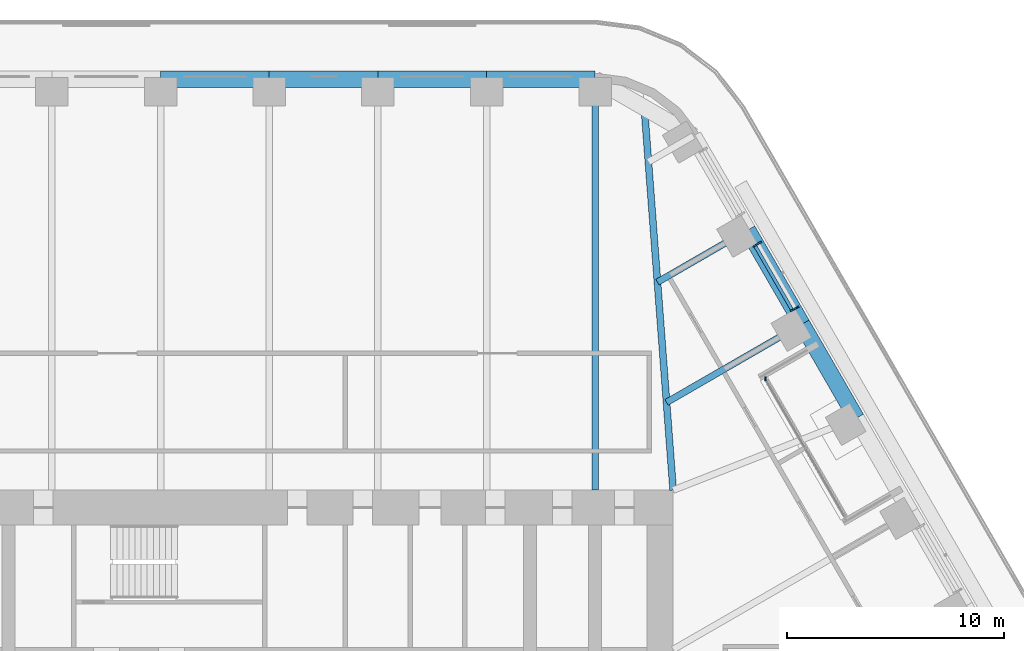
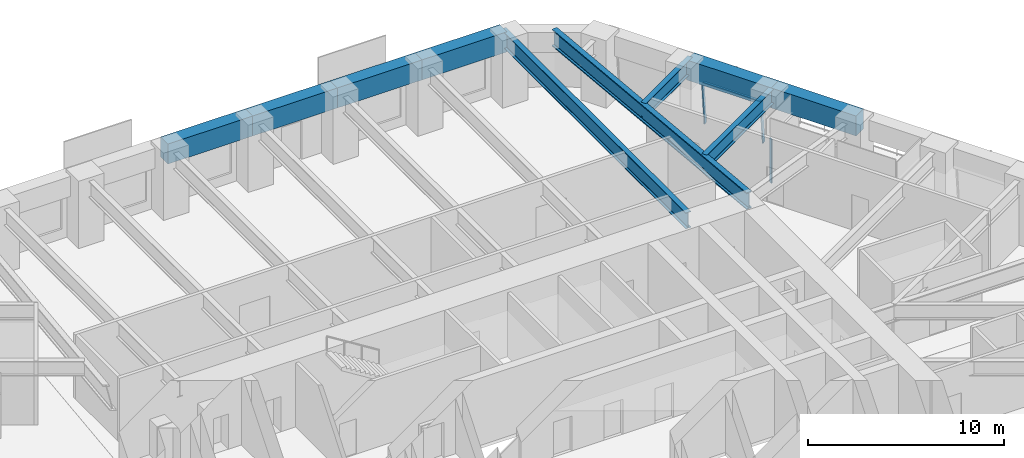
# One storey, part 12 of 24: 10 beams, 4 members, 2 elements without a shape of their own.
"""IFC4 building model written with IfcOpenShell, lengths in metres."""

from ifc_helpers import new_model, si_unit, direction, frame, origin, origin_2d, place, context, subcontext, project, spatial, rectangle, i_section, extrude, material, material_profile, profile_set, type_object, element, aggregate, save


model = new_model("IFC4")

# Units and contexts
model_context = context("Model", 3, precision=1e-05, world=origin(), true_north=direction((0.0, 1.0)))
body_context = subcontext(model_context, "Body", "Model", "MODEL_VIEW")
ifc_project = project(units=[si_unit("LENGTHUNIT", "METRE"), si_unit("AREAUNIT", "SQUARE_METRE"), si_unit("VOLUMEUNIT", "CUBIC_METRE"), si_unit("PLANEANGLEUNIT", "RADIAN"), si_unit("MASSUNIT", "GRAM", prefix="KILO")], contexts=[model_context])

# Site, building, storey
site_placement = place(None, origin())
site = spatial("IfcSite", under=ifc_project, at=site_placement, CompositionType="ELEMENT")
building_placement = place(site_placement, origin())
building = spatial("IfcBuilding", under=site, at=building_placement, Name="Tarfa Lantern Tower", CompositionType="ELEMENT")
storey_placement = place(building_placement, frame((0.0, 0.0, 195.10009765625)))
storey = spatial("IfcBuildingStorey", under=building, at=storey_placement, Name="L44", CompositionType="ELEMENT", Elevation=195.10009765625)

# Curtain wall, members
ifc_material_1 = material(Name="Aluminium framed curtain wall", Category="aluminium")
curtain_wall_type_1 = type_object("IfcCurtainWallType", Name="CW2 CANTED GLAZING MID ZONE 2750", PredefinedType="USERDEFINED", material=ifc_material_1)
curtain_wall_1_placement = place(storey_placement, origin())
curtain_wall_1 = element("IfcCurtainWall", 1, at=curtain_wall_1_placement, inside=storey, type_object=curtain_wall_type_1, Name="CW2 NEB L44", ObjectType="CURTAIN WALL", PredefinedType="USERDEFINED")
ifc_material_2 = material(Name="Aluminium mullion", Category="aluminium")
ifc_material_profile_1 = material_profile(ifc_material_2, rectangle(XDim=0.06494140625, YDim=0.199951171875, at=origin_2d()), Name="AL MULLION 65x200")
ifc_profile_set_1 = profile_set([ifc_material_profile_1], Name="Aluminium mullion")
member_type_1 = type_object("IfcMemberType", Name="CWM1 MULLION 65x200", PredefinedType="MULLION", material=ifc_profile_set_1)
member_1_placement = place(storey_placement, frame((24.300048828125, 20.7109375, 0.0), z_axis=(-0.078422950161, -0.045267813396, 0.995891894715), x_axis=(0.499919672301, -0.866071776036, 0.0)))
member_1 = element("IfcMember", 2, at=member_1_placement, type_object=member_type_1, Name="CW2 mullion 1", PredefinedType="MULLION", context=body_context, shape_type="SweptSolid", body=[
    extrude(rectangle(XDim=0.06494140625, YDim=0.199951171875, at=origin_2d()), origin(), (0.0, 0.0, 1.0), 2.76123046875),
])
member_2_placement = place(storey_placement, frame((22.580810546875, 23.68896484375, 0.0), z_axis=(-0.078422950161, -0.045267813396, 0.995891894715), x_axis=(0.499919672301, -0.866071776036, 0.0)))
member_2 = element("IfcMember", 3, at=member_2_placement, type_object=member_type_1, Name="CW2 mullion 2", PredefinedType="MULLION", context=body_context, shape_type="SweptSolid", body=[
    extrude(rectangle(XDim=0.06494140625, YDim=0.199951171875, at=origin_2d()), origin(), (0.0, 0.0, 1.0), 2.76123046875),
])

# Curtain wall, member
curtain_wall_type_2 = type_object("IfcCurtainWallType", Name="CW10 LOGGIA GLAZING 2750", PredefinedType="USERDEFINED", material=ifc_material_1)
curtain_wall_2_placement = place(storey_placement, origin())
curtain_wall_2 = element("IfcCurtainWall", 4, at=curtain_wall_2_placement, inside=storey, type_object=curtain_wall_type_2, Name="CW10 NEL L44", ObjectType="CURTAIN WALL", PredefinedType="USERDEFINED")
member_3_placement = place(storey_placement, frame((22.84619140625, 17.429443359375, 0.0), z_axis=(0.0, 0.0, 1.0), x_axis=(1.0, 0.0, 0.0)))
member_3 = element("IfcMember", 5, at=member_3_placement, type_object=member_type_1, Name="CW10 mullion 3", PredefinedType="MULLION", context=body_context, shape_type="SweptSolid", body=[
    extrude(rectangle(XDim=0.06494140625, YDim=0.199951171875, at=origin_2d()), origin(), (0.0, 0.0, 1.0), 2.75),
])
aggregate(curtain_wall_2, [member_3])

# Member
ifc_material_3 = material(Name="Aluminium transom", Category="aluminium")
ifc_material_profile_2 = material_profile(ifc_material_3, rectangle(XDim=0.14990234375, YDim=0.06494140625, at=origin_2d()), Name="AL TRANSOM 150x65")
ifc_profile_set_2 = profile_set([ifc_material_profile_2], Name="Aluminium transom")
member_type_2 = type_object("IfcMemberType", Name="CWT1 TRANSOM 150x65", PredefinedType="USERDEFINED", material=ifc_profile_set_2)
member_4_placement = place(storey_placement, frame((24.06982421875, 20.61572265625, 2.71728515625), z_axis=(-0.499991822116, 0.866030125237, 0.0), x_axis=(-0.866030125237, -0.499991822116, 0.0)))
member_4 = element("IfcMember", 6, at=member_4_placement, type_object=member_type_2, Name="CW2 transom 1.2", ObjectType="TRANSOM", PredefinedType="USERDEFINED", context=body_context, shape_type="SweptSolid", body=[
    extrude(rectangle(XDim=0.14990234375, YDim=0.06494140625, at=origin_2d()), origin(), (0.0, 0.0, 1.0), 3.37353515625),
])

aggregate(curtain_wall_1, [member_1, member_2, member_4])

# Beams
ifc_material_4 = material(Name="Concrete C80/95", Category="concrete")
ifc_material_profile_3 = material_profile(ifc_material_4, rectangle(XDim=0.75, YDim=1.25, at=origin_2d()), Name="RC 750x1250")
ifc_profile_set_3 = profile_set([ifc_material_profile_3], Name="Concrete C80/95")
beam_type_1 = type_object("IfcBeamType", Name="EB2 RC 750x1250", PredefinedType="SPANDREL", material=ifc_profile_set_3)
for number, where, z_axis, x_axis, name in (
    (7, (27.037353515625, 15.610107421875, 3.375), (-0.500022324899, 0.866012514114, 0.0), (-0.866012514114, -0.500022324899, 0.0), "Edge beam NE3"),
    (8, (24.535400390625, 19.943359375, 3.375), (-0.49998573051, 0.866033642122, 0.0), (-0.866033642122, -0.49998573051, 0.0), "Edge beam NE4"),
    (9, (15.010986328125, 31.219970703125, 3.375), (-1.0, 0.0, 0.0), (0.0, -1.0, 0.0), "Edge beam N0"),
    (10, (10.00732421875, 31.219970703125, 3.375), (-1.0, 0.0, 0.0), (0.0, -1.0, 0.0), "Edge beam N1"),
    (11, (5.003662109375, 31.219970703125, 3.375), (-1.0, 0.0, 0.0), (0.0, -1.0, 0.0), "Edge beam N2"),
    (12, (0.0, 31.219970703125, 3.375), (-1.0, 0.0, 0.0), (0.0, -1.0, 0.0), "Edge beam N3"),
):
    element("IfcBeam", number, at=place(storey_placement, frame(where, z_axis=z_axis, x_axis=x_axis)), inside=storey, type_object=beam_type_1, Name=name, PredefinedType="SPANDREL", context=body_context, shape_type="SweptSolid", body=[
        extrude(rectangle(XDim=0.75, YDim=1.25, at=origin_2d()), origin(), (0.0, 0.0, 1.0), 5.003662109375),
    ])
ifc_material_5 = material(Name="Steel S460M", Category="steel")
ifc_material_profile_4 = material_profile(ifc_material_5, i_section(OverallWidth=0.302001953125, OverallDepth=1.008056640625, WebThickness=0.02099609375, FlangeThickness=0.0400390625, FilletRadius=0.030029296875, at=origin_2d()), Name="UB1016x305x349")
ifc_profile_set_4 = profile_set([ifc_material_profile_4], Name="Steel S460M")
beam_type_2 = type_object("IfcBeamType", Name="UB1016x305x349", PredefinedType="BEAM", material=ifc_profile_set_4)
beam_1_placement = place(storey_placement, frame((15.010986328125, 31.219970703125, 3.495849609375), z_axis=(0.0, -1.0, 0.0), x_axis=(1.0, 0.0, 0.0)))
element("IfcBeam", 13, at=beam_1_placement, inside=storey, type_object=beam_type_2, Name="Floor beam N0", PredefinedType="BEAM", context=body_context, shape_type="SweptSolid", body=[
    extrude(i_section(OverallWidth=0.302001953125, OverallDepth=1.008056640625, WebThickness=0.02099609375, FlangeThickness=0.0400390625, FilletRadius=0.030029296875, at=origin_2d()), origin(), (0.0, 0.0, 1.0), 18.919921875),
])
ifc_material_profile_5 = material_profile(ifc_material_5, i_section(OverallWidth=0.314208984375, OverallDepth=1.055908203125, WebThickness=0.035888671875, FlangeThickness=0.06396484375, FilletRadius=0.030029296875, at=origin_2d()), Name="UB1016x305x584")
ifc_profile_set_5 = profile_set([ifc_material_profile_5], Name="Steel S460M")
beam_type_3 = type_object("IfcBeamType", Name="UB1016x305x584", PredefinedType="BEAM", material=ifc_profile_set_5)
beam_2_placement = place(storey_placement, frame((18.60009765625, 12.300048828125, 3.471923828125), z_axis=(-0.075211516041, 0.99716760269, 0.0), x_axis=(-0.99716760269, -0.075211516041, 0.0)))
element("IfcBeam", 14, at=beam_2_placement, inside=storey, type_object=beam_type_3, Name="Hip girder NE", PredefinedType="BEAM", context=body_context, shape_type="SweptSolid", body=[
    extrude(i_section(OverallWidth=0.314208984375, OverallDepth=1.055908203125, WebThickness=0.035888671875, FlangeThickness=0.06396484375, FilletRadius=0.030029296875, at=origin_2d()), origin(), (0.0, 0.0, 1.0), 17.6650390625),
])
ifc_material_profile_6 = material_profile(ifc_material_5, i_section(OverallWidth=0.305419921875, OverallDepth=0.91845703125, WebThickness=0.017333984375, FlangeThickness=0.02783203125, FilletRadius=0.01904296875, at=origin_2d()), Name="UB914x305x253")
ifc_profile_set_6 = profile_set([ifc_material_profile_6], Name="Steel S460M")
beam_type_4 = type_object("IfcBeamType", Name="UB914x305x253", PredefinedType="BEAM", material=ifc_profile_set_6)
beam_3_placement = place(storey_placement, frame((24.535400390625, 19.943359375, 3.540771484375), z_axis=(-0.86602647304, -0.499998147991, 0.0), x_axis=(0.499998147991, -0.86602647304, 0.0)))
element("IfcBeam", 15, at=beam_3_placement, inside=storey, type_object=beam_type_4, Name="Floor beam NE4", PredefinedType="BEAM", context=body_context, shape_type="SweptSolid", body=[
    extrude(i_section(OverallWidth=0.305419921875, OverallDepth=0.91845703125, WebThickness=0.017333984375, FlangeThickness=0.02783203125, FilletRadius=0.01904296875, at=origin_2d()), origin(), (0.0, 0.0, 1.0), 7.20556640625),
])
beam_4_placement = place(storey_placement, frame((22.03369140625, 24.276611328125, 3.540771484375), z_axis=(-0.866030550462, -0.499991085587, 0.0), x_axis=(0.499991085587, -0.866030550462, 0.0)))
element("IfcBeam", 16, at=beam_4_placement, inside=storey, type_object=beam_type_4, Name="Floor beam NE5", PredefinedType="BEAM", context=body_context, shape_type="SweptSolid", body=[
    extrude(i_section(OverallWidth=0.305419921875, OverallDepth=0.91845703125, WebThickness=0.017333984375, FlangeThickness=0.02783203125, FilletRadius=0.01904296875, at=origin_2d()), origin(), (0.0, 0.0, 1.0), 4.798828125),
])

save(model, "model.ifc")
